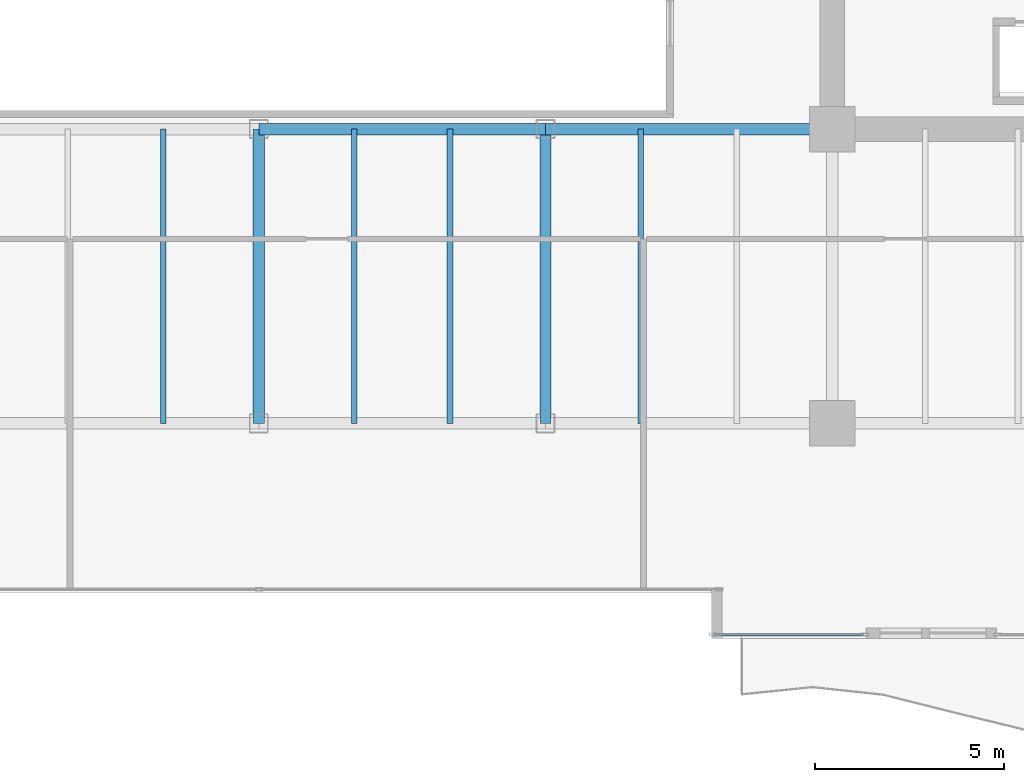
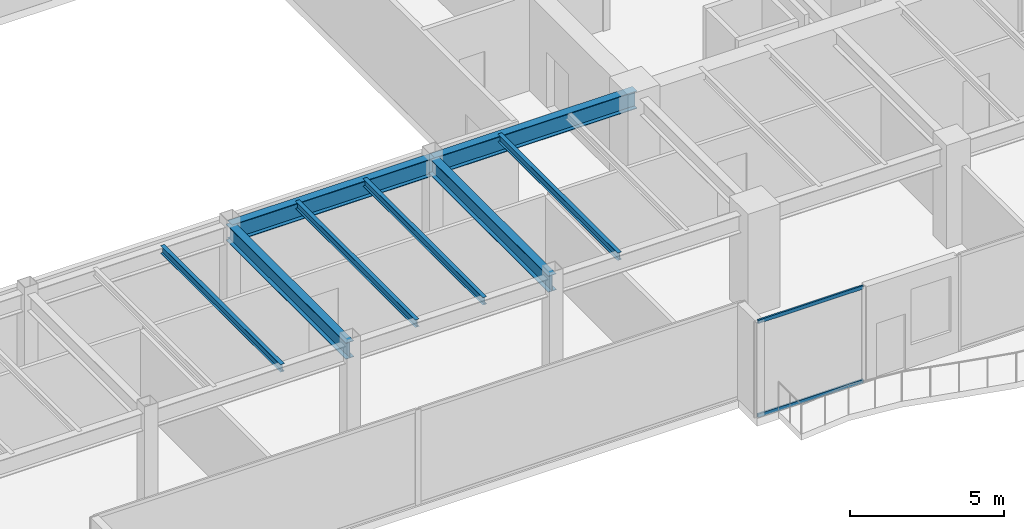
# One storey, part 9 of 30: 8 beams, 2 members, 1 element without a shape of its own.
"""IFC4 building model written with IfcOpenShell, lengths in metres."""

from ifc_helpers import new_model, si_unit, direction, frame, origin, origin_2d, place, context, subcontext, project, spatial, hollow_rectangle, i_section, extrude, source, transform, mapped, material, layer, layer_set, material_profile, profile_set, type_object, type_shapes, element, aggregate, save


model = new_model("IFC4")

# Units and contexts
model_context = context("Model", 3, precision=1e-05, world=origin(), true_north=direction((0.0, 1.0)))
body_context = subcontext(model_context, "Body", "Model", "MODEL_VIEW")
ifc_project = project(units=[si_unit("LENGTHUNIT", "METRE"), si_unit("AREAUNIT", "SQUARE_METRE"), si_unit("VOLUMEUNIT", "CUBIC_METRE"), si_unit("PLANEANGLEUNIT", "RADIAN"), si_unit("MASSUNIT", "GRAM", prefix="KILO")], contexts=[model_context])

# Site, building, storey
site_placement = place(None, origin())
site = spatial("IfcSite", under=ifc_project, at=site_placement, CompositionType="ELEMENT")
building_placement = place(site_placement, origin())
building = spatial("IfcBuilding", under=site, at=building_placement, Name="Haelvirn Gate Laboratories", CompositionType="ELEMENT")
storey_placement = place(building_placement, frame((0.0, 0.0, 146.10009765625)))
storey = spatial("IfcBuildingStorey", under=building, at=storey_placement, Name="L35", CompositionType="ELEMENT", Elevation=146.10009765625)

# Beams
ifc_material_1 = material(Name="Steel SM355", Category="steel")
ifc_material_profile_1 = material_profile(ifc_material_1, i_section(OverallWidth=0.300048828125, OverallDepth=0.64990234375, WebThickness=0.012939453125, FlangeThickness=0.02197265625, at=origin_2d()), Name="H-650x300x13x22")
ifc_profile_set_1 = profile_set([ifc_material_profile_1], Name="Steel SM355")
beam_type_1 = type_object("IfcBeamType", Name="BM-G-650", PredefinedType="BEAM", material=ifc_profile_set_1)
shared_shape_1 = source(origin(), body_context, "Body", "SweptSolid", [
    extrude(i_section(OverallWidth=0.300048828125, OverallDepth=0.64990234375, WebThickness=0.012939453125, FlangeThickness=0.02197265625, at=origin_2d()), origin(), (0.0, 0.0, 1.0), 7.800048828125),
])
type_shapes(beam_type_1, [shared_shape_1])
for number, where, z_axis, x_axis, name in (
    (1, (37.39990234375, 7.0, 3.46484375), (0.0, 1.0, 0.0), (-1.0, 0.0, 0.0), "L35 Frame Girder X37.4 (7.0-14.8)"),
    (2, (45.0, 7.0, 3.46484375), (0.0, 1.0, 0.0), (-1.0, 0.0, 0.0), "L35 Frame Girder X45.0 (7.0-14.8)"),
):
    element("IfcBeam", number, at=place(storey_placement, frame(where, z_axis=z_axis, x_axis=x_axis)), inside=storey, type_object=beam_type_1, Name=name, PredefinedType="BEAM", context=body_context, shape_type="MappedRepresentation", body=[
        mapped(shared_shape_1, transform((0.0, 0.0, 0.0), scale=1.0)),
    ])
ifc_material_profile_2 = material_profile(ifc_material_1, i_section(OverallWidth=0.300048828125, OverallDepth=0.699951171875, WebThickness=0.012939453125, FlangeThickness=0.02392578125, at=origin_2d()), Name="H-700x300x13x24")
ifc_profile_set_2 = profile_set([ifc_material_profile_2], Name="Steel SM355")
beam_type_2 = type_object("IfcBeamType", Name="BM-G-700", PredefinedType="BEAM", material=ifc_profile_set_2)
shared_shape_2 = source(origin(), body_context, "Body", "SweptSolid", [
    extrude(i_section(OverallWidth=0.300048828125, OverallDepth=0.699951171875, WebThickness=0.012939453125, FlangeThickness=0.02392578125, at=origin_2d()), origin(), (0.0, 0.0, 1.0), 7.60009765625),
])
type_shapes(beam_type_2, [shared_shape_2])
for number, where, z_axis, x_axis, name in (
    (3, (37.39990234375, 14.800048828125, 3.43994140625), (1.0, 0.0, 0.0), (0.0, 1.0, 0.0), "L35 Primary Girder Y14.8 (37.4-45.0)"),
    (4, (45.0, 14.800048828125, 3.43994140625), (1.0, 0.0, 0.0), (0.0, 1.0, 0.0), "L35 Primary Girder Y14.8 (45.0-52.6)"),
):
    element("IfcBeam", number, at=place(storey_placement, frame(where, z_axis=z_axis, x_axis=x_axis)), inside=storey, type_object=beam_type_2, Name=name, PredefinedType="BEAM", context=body_context, shape_type="MappedRepresentation", body=[
        mapped(shared_shape_2, transform((0.0, 0.0, 0.0), scale=1.0)),
    ])
ifc_material_profile_3 = material_profile(ifc_material_1, i_section(OverallWidth=0.14990234375, OverallDepth=0.300048828125, WebThickness=0.006591796875, FlangeThickness=0.009033203125, at=origin_2d()), Name="H-300x150x6.5x9")
ifc_profile_set_3 = profile_set([ifc_material_profile_3], Name="Steel SM355")
beam_type_3 = type_object("IfcBeamType", Name="BM-J-300", PredefinedType="JOIST", material=ifc_profile_set_3)
shared_shape_3 = source(origin(), body_context, "Body", "SweptSolid", [
    extrude(i_section(OverallWidth=0.14990234375, OverallDepth=0.300048828125, WebThickness=0.006591796875, FlangeThickness=0.009033203125, at=origin_2d()), origin(), (0.0, 0.0, 1.0), 7.800048828125),
])
type_shapes(beam_type_3, [shared_shape_3])
for number, where, z_axis, x_axis, name in (
    (5, (34.8701171875, 7.0, 3.639892578125), (0.0, 1.0, 0.0), (-1.0, 0.0, 0.0), "L35 Composite Lab Joist South X34.87"),
    (6, (39.929931640625, 7.0, 3.639892578125), (0.0, 1.0, 0.0), (-1.0, 0.0, 0.0), "L35 Composite Lab Joist South X39.93"),
    (7, (42.469970703125, 7.0, 3.639892578125), (0.0, 1.0, 0.0), (-1.0, 0.0, 0.0), "L35 Composite Lab Joist South X42.47"),
    (8, (47.530029296875, 7.0, 3.639892578125), (0.0, 1.0, 0.0), (-1.0, 0.0, 0.0), "L35 Composite Lab Joist South X47.53"),
):
    element("IfcBeam", number, at=place(storey_placement, frame(where, z_axis=z_axis, x_axis=x_axis)), inside=storey, type_object=beam_type_3, Name=name, PredefinedType="JOIST", context=body_context, shape_type="MappedRepresentation", body=[
        mapped(shared_shape_3, transform((0.0, 0.0, 0.0), scale=1.0)),
    ])

# Curtain wall, members
ifc_material_2 = material(Name="Anodised bronze unitised aluminium & triple low-E glass", Category="aluminium")
ifc_layer = layer(ifc_material_2, 0.179931640625, Name="CW-SYS-3")
ifc_layer_set = layer_set([ifc_layer], Name="Anodised bronze unitised aluminium & triple low-E glass")
curtain_wall_type = type_object("IfcCurtainWallType", Name="CW-SYS-3", PredefinedType="NOTDEFINED", material=ifc_layer_set)
curtain_wall_placement = place(storey_placement, origin())
curtain_wall = element("IfcCurtainWall", 9, at=curtain_wall_placement, inside=storey, type_object=curtain_wall_type, Name="L35 Unitised Curtain Wall CW-L35-P0-E04-1", PredefinedType="NOTDEFINED")
ifc_material_3 = material(Name="Extruded aluminium 6063-T6 (anodised bronze)", Category="aluminium")
ifc_material_profile_4 = material_profile(ifc_material_3, hollow_rectangle(XDim=0.06494140625, YDim=0.139892578125, WallThickness=0.00390625, at=origin_2d()), Name="CWT-140x65x4")
ifc_profile_set_4 = profile_set([ifc_material_profile_4], Name="Extruded aluminium 6063-T6 (anodised bronze)")
member_type = type_object("IfcMemberType", Name="CWT-T140", PredefinedType="USERDEFINED", material=ifc_profile_set_4)
shared_shape_4 = source(origin(), body_context, "Body", "SweptSolid", [
    extrude(hollow_rectangle(XDim=0.06494140625, YDim=0.139892578125, WallThickness=0.00390625, at=origin_2d()), origin(), (0.0, 0.0, 1.0), 3.954833984375),
])
type_shapes(member_type, [shared_shape_4])
member_1_placement = place(storey_placement, frame((49.47509765625, 1.39990234375, 0.032470703125), z_axis=(1.0, 0.0, 0.0), x_axis=(0.0, 1.0, 0.0)))
member_1 = element("IfcMember", 10, at=member_1_placement, type_object=member_type, Name="CW3 transom 1.1", ObjectType="TRANSOM", PredefinedType="USERDEFINED", context=body_context, shape_type="MappedRepresentation", body=[
    mapped(shared_shape_4, transform((0.0, 0.0, 0.0), scale=1.0)),
])
member_2_placement = place(storey_placement, frame((49.47509765625, 1.39990234375, 3.75732421875), z_axis=(1.0, 0.0, 0.0), x_axis=(0.0, 1.0, 0.0)))
member_2 = element("IfcMember", 11, at=member_2_placement, type_object=member_type, Name="CW3 transom 1.2", ObjectType="TRANSOM", PredefinedType="USERDEFINED", context=body_context, shape_type="MappedRepresentation", body=[
    mapped(shared_shape_4, transform((0.0, 0.0, 0.0), scale=1.0)),
])
aggregate(curtain_wall, [member_1, member_2])

save(model, "model.ifc")
